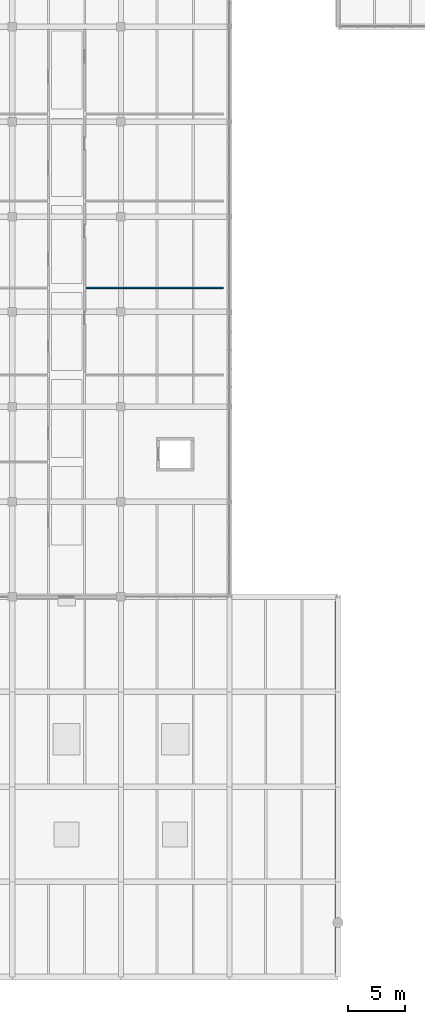
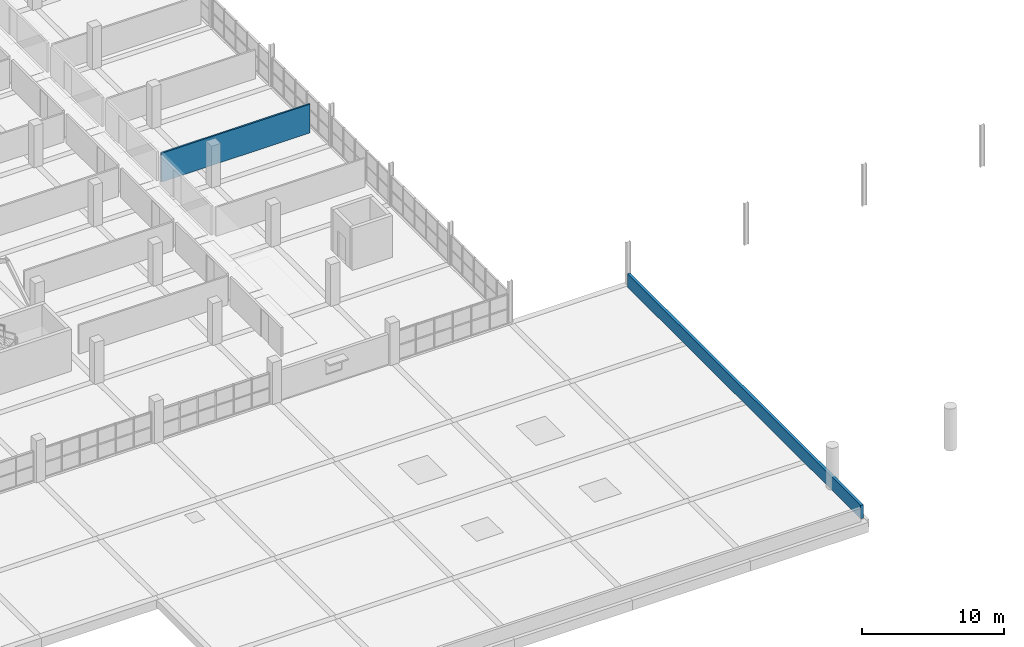
# One storey, part 120 of 147: 2 walls.
"""IFC4 building model written with IfcOpenShell, lengths in metres."""

from ifc_helpers import new_model, si_unit, direction, frame, frame_2d, origin, place, context, subcontext, project, spatial, rectangle, extrude, material, layer, layer_set, type_object, element, save


model = new_model("IFC4")

# Units and contexts
model_context = context("Model", 3, precision=1e-05, world=origin(), true_north=direction((0.0, 1.0)))
body_context = subcontext(model_context, "Body", "Model", "MODEL_VIEW")
ifc_project = project(units=[si_unit("LENGTHUNIT", "METRE"), si_unit("AREAUNIT", "SQUARE_METRE"), si_unit("VOLUMEUNIT", "CUBIC_METRE"), si_unit("PLANEANGLEUNIT", "RADIAN"), si_unit("MASSUNIT", "GRAM", prefix="KILO")], contexts=[model_context])

# Site, building, storey
site_placement = place(None, origin())
site = spatial("IfcSite", under=ifc_project, at=site_placement, CompositionType="ELEMENT")
building_placement = place(site_placement, origin())
building = spatial("IfcBuilding", under=site, at=building_placement, Name="Oolite Switchyard Hospital", CompositionType="ELEMENT")
storey_placement = place(building_placement, frame((0.0, 0.0, 9.89990234375)))
storey = spatial("IfcBuildingStorey", under=building, at=storey_placement, Name="L02", CompositionType="ELEMENT", Elevation=9.89990234375)

# Walls
ifc_material_1 = material(Name="Precast oolitic limestone architectural concrete C40/50", Category="masonry")
ifc_layer_1 = layer(ifc_material_1, 0.219970703125)
ifc_layer_set_1 = layer_set([ifc_layer_1], Name="WAL-PAR-220")
wall_type_1 = type_object("IfcWallType", Name="WAL-PAR-220", PredefinedType="PARAPET", material=ifc_layer_set_1)
wall_1_placement = place(storey_placement, frame((67.050048828125, 0.35009765625, 0.0), z_axis=(0.0, 0.0, 1.0), x_axis=(0.0, 1.0, 0.0)))
element("IfcWall", 1, at=wall_1_placement, inside=storey, type_object=wall_type_1, Name="L02 Roof Parapet Wall 2", PredefinedType="PARAPET", context=body_context, shape_type="SweptSolid", body=[
    extrude(rectangle(XDim=32.89990234375, YDim=0.219970703125, at=frame_2d((16.449951171875, 0.0))), origin(), (0.0, 0.0, 1.0), 1.150146484375),
])
ifc_material_2 = material(Name="Moisture-resistant gypsum board on steel studs", Category="steel")
ifc_layer_2 = layer(ifc_material_2, 0.135009765625)
ifc_layer_set_2 = layer_set([ifc_layer_2], Name="WAL-PART-135")
wall_type_2 = type_object("IfcWallType", Name="WAL-PART-135", PredefinedType="PARTITIONING", material=ifc_layer_set_2)
wall_2_placement = place(storey_placement, frame((44.949951171875, 60.89990234375, 0.0), z_axis=(0.0, 0.0, 1.0), x_axis=(1.0, 0.0, 0.0)))
element("IfcWall", 2, at=wall_2_placement, inside=storey, type_object=wall_type_2, Name="L02 Interior Partition 455", PredefinedType="PARTITIONING", context=body_context, shape_type="SweptSolid", body=[
    extrude(rectangle(XDim=12.10009765625, YDim=0.135009765625, at=frame_2d((6.050048828125, 0.0))), origin(), (0.0, 0.0, 1.0), 2.47998046875),
])

save(model, "model.ifc")
